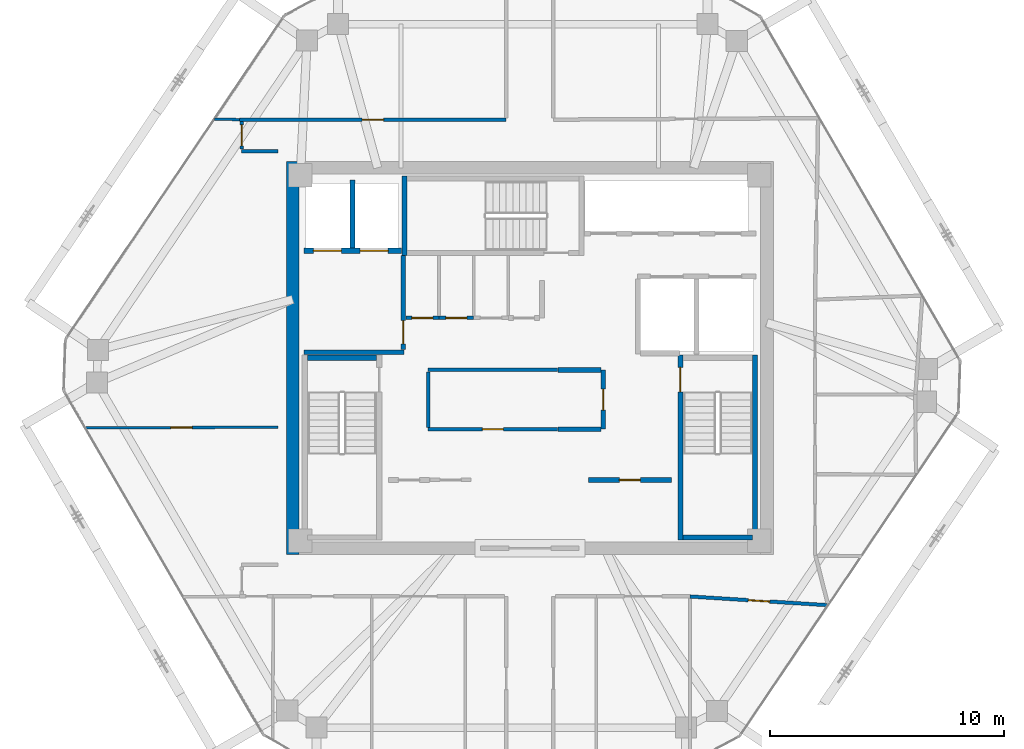
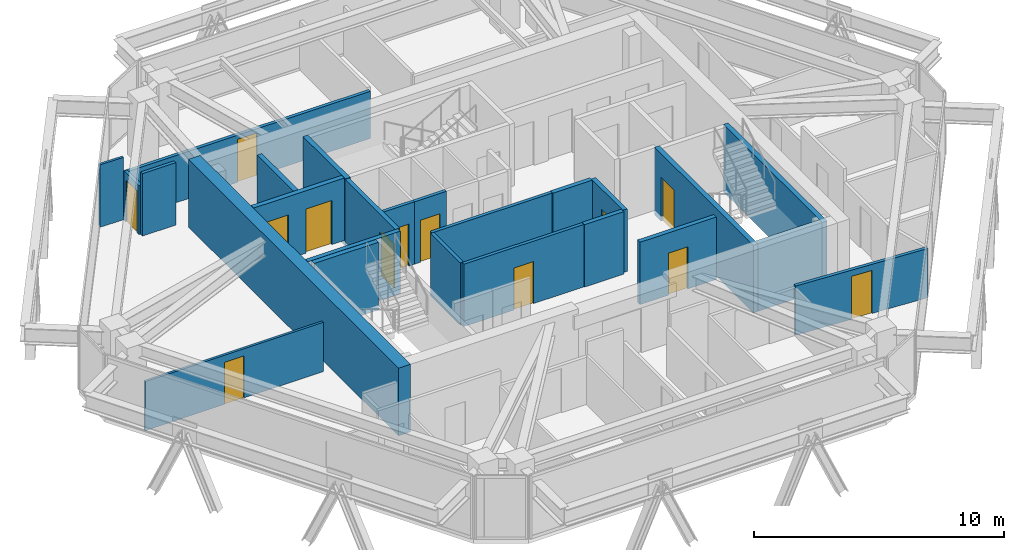
# One storey, part 10 of 13: 25 walls, 13 doors, 13 openings.
"""IFC4 building model written with IfcOpenShell, lengths in metres."""

from ifc_helpers import new_model, si_unit, direction, frame, frame_2d, origin, place, context, subcontext, project, spatial, rectangle, extrude, source, transform, mapped, material, layer, layer_set, type_object, type_shapes, element, fill, save


model = new_model("IFC4")

# Units and contexts
model_context = context("Model", 3, precision=1e-05, world=origin(), true_north=direction((0.0, 1.0)))
body_context = subcontext(model_context, "Body", "Model", "MODEL_VIEW")
ifc_project = project(units=[si_unit("LENGTHUNIT", "METRE"), si_unit("AREAUNIT", "SQUARE_METRE"), si_unit("VOLUMEUNIT", "CUBIC_METRE"), si_unit("PLANEANGLEUNIT", "RADIAN"), si_unit("MASSUNIT", "GRAM", prefix="KILO")], contexts=[model_context])

# Site, building, storey
site_placement = place(None, origin())
site = spatial("IfcSite", under=ifc_project, at=site_placement, CompositionType="ELEMENT")
building_placement = place(site_placement, origin())
building = spatial("IfcBuilding", under=site, at=building_placement, Name="Durnholm Broadcast Tower", CompositionType="ELEMENT")
storey_placement = place(building_placement, frame((0.0, 0.0, 248.0)))
storey = spatial("IfcBuildingStorey", under=building, at=storey_placement, Name="L69", CompositionType="ELEMENT", Elevation=248.0)

# Walls
ifc_material_1 = material(Name="Concrete C70/85", Category="concrete")
ifc_layer_1 = layer(ifc_material_1, 0.550048828125)
ifc_layer_set_1 = layer_set([ifc_layer_1], Name="Concrete C70/85")
wall_type_1 = type_object("IfcWallType", Name="WALL-CW-550", PredefinedType="SHEAR", material=ifc_layer_set_1)
wall_1_placement = place(storey_placement, frame((-10.125, -8.39990234375, 0.0), z_axis=(0.0, 0.0, 1.0), x_axis=(0.0, 1.0, 0.0)))
element("IfcWall", 1, at=wall_1_placement, inside=storey, type_object=wall_type_1, Name="L69 central core shear wall CW-WEST", PredefinedType="SHEAR", context=body_context, shape_type="SweptSolid", body=[
    extrude(rectangle(XDim=16.7998046875, YDim=0.550048828125, at=frame_2d((8.39990234375, 0.0))), origin(), (0.0, 0.0, 1.0), 3.300048828125),
])
ifc_material_2 = material(Name="Fire-Rated Gypsum Shaftwall", Category="concrete")
ifc_layer_2 = layer(ifc_material_2, 0.199951171875)
ifc_layer_set_2 = layer_set([ifc_layer_2], Name="Fire-Rated Gypsum Shaftwall")
wall_type_2 = type_object("IfcWallType", Name="WALL-LOB-200", PredefinedType="SOLIDWALL", material=ifc_layer_set_2)
wall_2_placement = place(storey_placement, frame((-9.64990234375, 0.25, 0.0), z_axis=(0.0, 0.0, 1.0), x_axis=(1.0, 0.0, 0.0)))
element("IfcWall", 2, at=wall_2_placement, inside=storey, type_object=wall_type_2, Name="L69 Fire Service Access Elevator lobby south wall", PredefinedType="SOLIDWALL", context=body_context, shape_type="SweptSolid", body=[
    extrude(rectangle(XDim=4.27001953125, YDim=0.199951171875, at=frame_2d((2.135009765625, 0.0))), origin(), (0.0, 0.0, 1.0), 3.044921875),
])

# Wall, opening, door
wall_3_placement = place(storey_placement, frame((-5.39990234375, 0.35400390625, 0.0), z_axis=(0.0, 0.0, 1.0), x_axis=(0.0, 1.0, 0.0)))
wall_3 = element("IfcWall", 3, at=wall_3_placement, inside=storey, type_object=wall_type_2, Name="L69 Fire Service Access Elevator lobby east fire wall", PredefinedType="SOLIDWALL", context=body_context, shape_type="SweptSolid", body=[
    extrude(rectangle(XDim=4.02587890625, YDim=0.199951171875, at=frame_2d((2.012939453125, 0.0))), origin(), (0.0, 0.0, 1.0), 3.044921875),
])
opening_1_placement = place(wall_3_placement, frame((0.24609375, 0.0, 0.0)))
opening_1 = element("IfcOpeningElement", 4, at=opening_1_placement, cuts=wall_3, Name="Opening DL-60R", PredefinedType="OPENING", context=body_context, shape_type="SweptSolid", body=[
    extrude(rectangle(XDim=1.0, YDim=2.14990234375, at=frame_2d((0.5, 1.074951171875))), frame((0.0, 0.10986328125, 0.0), z_axis=(0.0, -1.0, 0.0), x_axis=(1.0, 0.0, 0.0)), (0.0, 0.0, 1.0), 0.219970703125),
])
ifc_material_3 = material(Name="Fire-Rated Timber/Steel Door", Category="steel")
ifc_layer_3 = layer(ifc_material_3, 0.050048828125)
ifc_layer_set_3 = layer_set([ifc_layer_3], Name="Fire-Rated Timber/Steel Door")
door_type_1 = type_object("IfcDoorType", Name="DOOR-LOB-FD60-R", OperationType="NOTDEFINED", PredefinedType="DOOR", material=ifc_layer_set_3)
shared_shape_1 = source(origin(), body_context, "Body", "SweptSolid", [
    extrude(rectangle(XDim=1.0, YDim=2.14990234375, at=frame_2d((0.5, 1.074951171875))), frame((0.0, 0.02490234375, 0.0), z_axis=(0.0, -1.0, 0.0), x_axis=(1.0, 0.0, 0.0)), (0.0, 0.0, 1.0), 0.050048828125),
])
type_shapes(door_type_1, [shared_shape_1])
door_1_placement = place(opening_1_placement, origin())
door_1 = element("IfcDoor", 5, at=door_1_placement, inside=storey, type_object=door_type_1, Name="L69 Fire Service Access Elevator lobby smoke door", OperationType="SINGLE_SWING_RIGHT", OverallHeight=2.14990234375, OverallWidth=1.0, PredefinedType="DOOR", context=body_context, shape_type="MappedRepresentation", body=[
    mapped(shared_shape_1, transform((0.0, 0.0, 0.0), x_axis=(1.0, 0.0, 0.0), y_axis=(0.0, 1.0, 0.0), z_axis=(0.0, 0.0, 1.0), scale=1.0)),
])
fill(opening_1, door_1)

wall_4_placement = place(storey_placement, frame((2.510009765625, -5.2099609375, 0.0), z_axis=(0.0, 0.0, 1.0), x_axis=(1.0, 0.0, 0.0)))
wall_4 = element("IfcWall", 6, at=wall_4_placement, inside=storey, type_object=wall_type_2, Name="L69 Telemetry Control Closet corridor partition", PredefinedType="SOLIDWALL", context=body_context, shape_type="SweptSolid", body=[
    extrude(rectangle(XDim=3.530029296875, YDim=0.199951171875, at=frame_2d((1.76513671875, 0.0))), origin(), (0.0, 0.0, 1.0), 3.044921875),
])
opening_2_placement = place(wall_4_placement, frame((1.31494140625, 0.0, 0.0)))
opening_2 = element("IfcOpeningElement", 7, at=opening_2_placement, cuts=wall_4, Name="Opening DC-60R", PredefinedType="OPENING", context=body_context, shape_type="SweptSolid", body=[
    extrude(rectangle(XDim=0.89990234375, YDim=2.050048828125, at=frame_2d((0.449951171875, 1.02490234375))), frame((0.0, 0.10986328125, 0.0), z_axis=(0.0, -1.0, 0.0), x_axis=(1.0, 0.0, 0.0)), (0.0, 0.0, 1.0), 0.219970703125),
])
ifc_material_4 = material(Name="Fire-Rated Core Service Door", Category="steel")
ifc_layer_4 = layer(ifc_material_4, 0.050048828125)
ifc_layer_set_4 = layer_set([ifc_layer_4], Name="Fire-Rated Core Service Door")
door_type_2 = type_object("IfcDoorType", Name="DOOR-CORE-FD60-R", OperationType="NOTDEFINED", PredefinedType="DOOR", material=ifc_layer_set_4)
shared_shape_2 = source(origin(), body_context, "Body", "SweptSolid", [
    extrude(rectangle(XDim=0.89990234375, YDim=2.050048828125, at=frame_2d((0.449951171875, 1.02490234375))), frame((0.0, 0.02490234375, 0.0), z_axis=(0.0, -1.0, 0.0), x_axis=(1.0, 0.0, 0.0)), (0.0, 0.0, 1.0), 0.050048828125),
])
type_shapes(door_type_2, [shared_shape_2])
door_2_placement = place(opening_2_placement, origin())
door_2 = element("IfcDoor", 8, at=door_2_placement, inside=storey, type_object=door_type_2, Name="L69 Telemetry Control Closet entrance door", OperationType="SINGLE_SWING_RIGHT", OverallHeight=2.050048828125, OverallWidth=0.89990234375, PredefinedType="DOOR", context=body_context, shape_type="MappedRepresentation", body=[
    mapped(shared_shape_2, transform((0.0, 0.0, 0.0), x_axis=(1.0, 0.0, 0.0), y_axis=(0.0, 1.0, 0.0), z_axis=(0.0, 0.0, 1.0), scale=1.0)),
])
fill(opening_2, door_2)

wall_5_placement = place(storey_placement, frame((3.139892578125, -0.510009765625, 0.0), z_axis=(0.0, 0.0, 1.0), x_axis=(0.0, -1.0, 0.0)))
wall_5 = element("IfcWall", 9, at=wall_5_placement, inside=storey, type_object=wall_type_2, Name="L69 Core IT Telecom Room corridor partition", PredefinedType="SOLIDWALL", context=body_context, shape_type="SweptSolid", body=[
    extrude(rectangle(XDim=2.530029296875, YDim=0.199951171875, at=frame_2d((1.26513671875, 0.0))), origin(), (0.0, 0.0, 1.0), 3.044921875),
])
opening_3_placement = place(wall_5_placement, frame((0.81494140625, 0.0, 0.0)))
opening_3 = element("IfcOpeningElement", 10, at=opening_3_placement, cuts=wall_5, Name="Opening DC-60R", PredefinedType="OPENING", context=body_context, shape_type="SweptSolid", body=[
    extrude(rectangle(XDim=0.89990234375, YDim=2.050048828125, at=frame_2d((0.449951171875, 1.02490234375))), frame((0.0, 0.10986328125, 0.0), z_axis=(0.0, -1.0, 0.0), x_axis=(1.0, 0.0, 0.0)), (0.0, 0.0, 1.0), 0.219970703125),
])
door_3_placement = place(opening_3_placement, origin())
door_3 = element("IfcDoor", 11, at=door_3_placement, inside=storey, type_object=door_type_2, Name="L69 Core IT Telecom Room entrance door", OperationType="SINGLE_SWING_RIGHT", OverallHeight=2.050048828125, OverallWidth=0.89990234375, PredefinedType="DOOR", context=body_context, shape_type="MappedRepresentation", body=[
    mapped(shared_shape_2, transform((0.0, 0.0, 0.0), x_axis=(1.0, 0.0, 0.0), y_axis=(0.0, 1.0, 0.0), z_axis=(0.0, 0.0, 1.0), scale=1.0)),
])
fill(opening_3, door_3)

# Walls
for number, where, z_axis, x_axis, name in (
    (12, (3.035888671875, -3.0400390625, 0.0), (0.0, 0.0, 1.0), (-1.0, 0.0, 0.0), "L69 Core IT Telecom Room corridor partition"),
    (13, (1.2099609375, -0.510009765625, 0.0), (0.0, 0.0, 1.0), (1.0, 0.0, 0.0), "L69 Core IT Telecom Room corridor partition"),
):
    element("IfcWall", number, at=place(storey_placement, frame(where, z_axis=z_axis, x_axis=x_axis)), inside=storey, type_object=wall_type_2, Name=name, PredefinedType="SOLIDWALL", context=body_context, shape_type="SweptSolid", body=[
        extrude(rectangle(XDim=1.825927734375, YDim=0.199951171875, at=frame_2d((0.9130859375, 0.0))), origin(), (0.0, 0.0, 1.0), 3.044921875),
    ])
ifc_material_5 = material(Name="Operable Acoustic Panel Partition", Category="aluminium")
ifc_layer_5 = layer(ifc_material_5, 0.110107421875)
ifc_layer_set_5 = layer_set([ifc_layer_5], Name="Operable Acoustic Panel Partition")
wall_type_3 = type_object("IfcWallType", Name="WALL-MOV-110", PredefinedType="MOVABLE", material=ifc_layer_set_5)
wall_6_placement = place(storey_placement, frame((-12.389892578125, 10.181396484375, 0.0), z_axis=(0.0, 0.0, 1.0), x_axis=(-0.999812128272, 0.019383192748, 0.0)))
element("IfcWall", 14, at=wall_6_placement, inside=storey, type_object=wall_type_3, Name="L69 room dividing partition 13.24", PredefinedType="MOVABLE", context=body_context, shape_type="SweptSolid", body=[
    extrude(rectangle(XDim=1.083251953125, YDim=0.110107421875, at=frame_2d((0.54150390625, 0.0))), origin(), (0.0, 0.0, 1.0), 3.044921875),
])

# Wall, opening, door
wall_7_placement = place(storey_placement, frame((-18.99169921875, -2.97998046875, 0.0), z_axis=(0.0, 0.0, 1.0), x_axis=(0.999997042683, 0.0024320004, 0.0)))
wall_7 = element("IfcWall", 15, at=wall_7_placement, inside=storey, type_object=wall_type_3, Name="L69 room dividing partition 22.23", PredefinedType="MOVABLE", context=body_context, shape_type="SweptSolid", body=[
    extrude(rectangle(XDim=8.231689453125, YDim=0.110107421875, at=frame_2d((4.11572265625, 0.0))), origin(), (0.0, 0.0, 1.0), 2.398681640625),
])
opening_4_placement = place(wall_7_placement, frame((3.666015625, 0.0, 0.0)))
opening_4 = element("IfcOpeningElement", 16, at=opening_4_placement, cuts=wall_7, Name="Opening DW-90L", PredefinedType="OPENING", context=body_context, shape_type="SweptSolid", body=[
    extrude(rectangle(XDim=0.89990234375, YDim=2.050048828125, at=frame_2d((0.449951171875, 1.02490234375))), frame((0.0, 0.06494140625, 0.0), z_axis=(0.0, -1.0, 0.0), x_axis=(1.0, 0.0, 0.0)), (0.0, 0.0, 1.0), 0.130126953125),
])
ifc_material_6 = material(Name="Laminate Restroom Door", Category="steel")
ifc_layer_6 = layer(ifc_material_6, 0.050048828125)
ifc_layer_set_6 = layer_set([ifc_layer_6], Name="Laminate Restroom Door")
door_type_3 = type_object("IfcDoorType", Name="DOOR-WC-900L", OperationType="NOTDEFINED", PredefinedType="DOOR", material=ifc_layer_set_6)
shared_shape_3 = source(origin(), body_context, "Body", "SweptSolid", [
    extrude(rectangle(XDim=0.89990234375, YDim=2.050048828125, at=frame_2d((0.449951171875, 1.02490234375))), frame((0.0, 0.02490234375, 0.0), z_axis=(0.0, -1.0, 0.0), x_axis=(1.0, 0.0, 0.0)), (0.0, 0.0, 1.0), 0.050048828125),
])
type_shapes(door_type_3, [shared_shape_3])
door_4_placement = place(opening_4_placement, origin())
door_4 = element("IfcDoor", 17, at=door_4_placement, inside=storey, type_object=door_type_3, Name="L69 Executive Briefing Room connecting door", OperationType="SINGLE_SWING_LEFT", OverallHeight=2.050048828125, OverallWidth=0.89990234375, PredefinedType="DOOR", context=body_context, shape_type="MappedRepresentation", body=[
    mapped(shared_shape_3, transform((0.0, 0.0, 0.0), x_axis=(1.0, 0.0, 0.0), y_axis=(0.0, 1.0, 0.0), z_axis=(0.0, 0.0, 1.0), scale=1.0)),
])
fill(opening_4, door_4)

ifc_material_7 = material(Name="Acoustic Gypsum Stud Partition", Category="concrete")
ifc_layer_7 = layer(ifc_material_7, 0.14990234375)
ifc_layer_set_7 = layer_set([ifc_layer_7], Name="Acoustic Gypsum Stud Partition")
wall_type_4 = type_object("IfcWallType", Name="WALL-PART-150", PredefinedType="PARTITIONING", material=ifc_layer_set_7)
wall_8_placement = place(storey_placement, frame((1.18994140625, -3.0400390625, 0.0), z_axis=(0.0, 0.0, 1.0), x_axis=(-1.0, 0.0, 0.0)))
wall_8 = element("IfcWall", 18, at=wall_8_placement, inside=storey, type_object=wall_type_4, Name="L69 Broadcast Equipment Store corridor partition", PredefinedType="PARTITIONING", context=body_context, shape_type="SweptSolid", body=[
    extrude(rectangle(XDim=5.530029296875, YDim=0.14990234375, at=frame_2d((2.76513671875, 0.0))), origin(), (0.0, 0.0, 1.0), 3.044921875),
])
opening_5_placement = place(wall_8_placement, frame((2.31494140625, 0.0, 0.0)))
opening_5 = element("IfcOpeningElement", 19, at=opening_5_placement, cuts=wall_8, Name="Opening DC-60L", PredefinedType="OPENING", context=body_context, shape_type="SweptSolid", body=[
    extrude(rectangle(XDim=0.89990234375, YDim=2.050048828125, at=frame_2d((0.449951171875, 1.02490234375))), frame((0.0, 0.0849609375, 0.0), z_axis=(0.0, -1.0, 0.0), x_axis=(1.0, 0.0, 0.0)), (0.0, 0.0, 1.0), 0.169921875),
])
ifc_layer_8 = layer(ifc_material_4, 0.050048828125)
ifc_layer_set_8 = layer_set([ifc_layer_8], Name="Fire-Rated Core Service Door")
door_type_4 = type_object("IfcDoorType", Name="DOOR-CORE-FD60-L", OperationType="NOTDEFINED", PredefinedType="DOOR", material=ifc_layer_set_8)
shared_shape_4 = source(origin(), body_context, "Body", "SweptSolid", [
    extrude(rectangle(XDim=0.89990234375, YDim=2.050048828125, at=frame_2d((0.449951171875, 1.02490234375))), frame((0.0, 0.02490234375, 0.0), z_axis=(0.0, -1.0, 0.0), x_axis=(1.0, 0.0, 0.0)), (0.0, 0.0, 1.0), 0.050048828125),
])
type_shapes(door_type_4, [shared_shape_4])
door_5_placement = place(opening_5_placement, origin())
door_5 = element("IfcDoor", 20, at=door_5_placement, inside=storey, type_object=door_type_4, Name="L69 Broadcast Equipment Store entrance door", OperationType="SINGLE_SWING_LEFT", OverallHeight=2.050048828125, OverallWidth=0.89990234375, PredefinedType="DOOR", context=body_context, shape_type="MappedRepresentation", body=[
    mapped(shared_shape_4, transform((0.0, 0.0, 0.0), x_axis=(1.0, 0.0, 0.0), y_axis=(0.0, 1.0, 0.0), z_axis=(0.0, 0.0, 1.0), scale=1.0)),
])
fill(opening_5, door_5)

# Walls
wall_9_placement = place(storey_placement, frame((-4.340087890625, -0.510009765625, 0.0), z_axis=(0.0, 0.0, 1.0), x_axis=(1.0, 0.0, 0.0)))
element("IfcWall", 21, at=wall_9_placement, inside=storey, type_object=wall_type_4, Name="L69 Broadcast Equipment Store corridor partition", PredefinedType="PARTITIONING", context=body_context, shape_type="SweptSolid", body=[
    extrude(rectangle(XDim=5.530029296875, YDim=0.14990234375, at=frame_2d((2.76513671875, 0.0))), origin(), (0.0, 0.0, 1.0), 3.044921875),
])
wall_10_placement = place(storey_placement, frame((-4.340087890625, -2.9609375, 0.0), z_axis=(0.0, 0.0, 1.0), x_axis=(0.0, 1.0, 0.0)))
element("IfcWall", 22, at=wall_10_placement, inside=storey, type_object=wall_type_4, Name="L69 Broadcast Equipment Store corridor partition", PredefinedType="PARTITIONING", context=body_context, shape_type="SweptSolid", body=[
    extrude(rectangle(XDim=2.371826171875, YDim=0.14990234375, at=frame_2d((1.18603515625, 0.0))), origin(), (0.0, 0.0, 1.0), 3.044921875),
])

# Wall, opening, door
wall_11_placement = place(storey_placement, frame((-3.8798828125, 1.7099609375, 0.0), z_axis=(0.0, 0.0, 1.0), x_axis=(-1.0, 0.0, 0.0)))
wall_11 = element("IfcWall", 23, at=wall_11_placement, inside=storey, type_object=wall_type_4, Name="L69 Core First Aid Store corridor partition", PredefinedType="PARTITIONING", context=body_context, shape_type="SweptSolid", body=[
    extrude(rectangle(XDim=1.416015625, YDim=0.14990234375, at=frame_2d((0.7080078125, 0.0))), origin(), (0.0, 0.0, 1.0), 3.044921875),
])
opening_6_placement = place(wall_11_placement, frame((0.258056640625, 0.0, 0.0)))
opening_6 = element("IfcOpeningElement", 24, at=opening_6_placement, cuts=wall_11, Name="Opening DC-60L", PredefinedType="OPENING", context=body_context, shape_type="SweptSolid", body=[
    extrude(rectangle(XDim=0.89990234375, YDim=2.050048828125, at=frame_2d((0.449951171875, 1.02490234375))), frame((0.0, 0.0849609375, 0.0), z_axis=(0.0, -1.0, 0.0), x_axis=(1.0, 0.0, 0.0)), (0.0, 0.0, 1.0), 0.169921875),
])
door_6_placement = place(opening_6_placement, origin())
door_6 = element("IfcDoor", 25, at=door_6_placement, inside=storey, type_object=door_type_4, Name="L69 Core First Aid Store entrance door", OperationType="SINGLE_SWING_LEFT", OverallHeight=2.050048828125, OverallWidth=0.89990234375, PredefinedType="DOOR", context=body_context, shape_type="MappedRepresentation", body=[
    mapped(shared_shape_4, transform((0.0, 0.0, 0.0), x_axis=(1.0, 0.0, 0.0), y_axis=(0.0, 1.0, 0.0), z_axis=(0.0, 0.0, 1.0), scale=1.0)),
])
fill(opening_6, door_6)

wall_12_placement = place(storey_placement, frame((-2.39990234375, 1.7099609375, 0.0), z_axis=(0.0, 0.0, 1.0), x_axis=(-1.0, 0.0, 0.0)))
wall_12 = element("IfcWall", 26, at=wall_12_placement, inside=storey, type_object=wall_type_4, Name="L69 Core Linen Supply Closet corridor partition", PredefinedType="PARTITIONING", context=body_context, shape_type="SweptSolid", body=[
    extrude(rectangle(XDim=1.47998046875, YDim=0.14990234375, at=frame_2d((0.739990234375, 0.0))), origin(), (0.0, 0.0, 1.0), 3.044921875),
])
opening_7_placement = place(wall_12_placement, frame((0.2900390625, 0.0, 0.0)))
opening_7 = element("IfcOpeningElement", 27, at=opening_7_placement, cuts=wall_12, Name="Opening DC-60R", PredefinedType="OPENING", context=body_context, shape_type="SweptSolid", body=[
    extrude(rectangle(XDim=0.89990234375, YDim=2.050048828125, at=frame_2d((0.449951171875, 1.02490234375))), frame((0.0, 0.0849609375, 0.0), z_axis=(0.0, -1.0, 0.0), x_axis=(1.0, 0.0, 0.0)), (0.0, 0.0, 1.0), 0.169921875),
])
door_7_placement = place(opening_7_placement, origin())
door_7 = element("IfcDoor", 28, at=door_7_placement, inside=storey, type_object=door_type_2, Name="L69 Core Linen Supply Closet entrance door", OperationType="SINGLE_SWING_RIGHT", OverallHeight=2.050048828125, OverallWidth=0.89990234375, PredefinedType="DOOR", context=body_context, shape_type="MappedRepresentation", body=[
    mapped(shared_shape_2, transform((0.0, 0.0, 0.0), x_axis=(1.0, 0.0, 0.0), y_axis=(0.0, 1.0, 0.0), z_axis=(0.0, 0.0, 1.0), scale=1.0)),
])
fill(opening_7, door_7)

wall_13_placement = place(storey_placement, frame((-1.010009765625, 10.179931640625, 0.0), z_axis=(0.0, 0.0, 1.0), x_axis=(-1.0, 0.0, 0.0)))
wall_13 = element("IfcWall", 29, at=wall_13_placement, inside=storey, type_object=wall_type_4, Name="L69 Open Plan Broadcast Workspace 2 corridor partition", PredefinedType="PARTITIONING", context=body_context, shape_type="SweptSolid", body=[
    extrude(rectangle(XDim=11.3798828125, YDim=0.14990234375, at=frame_2d((5.68994140625, 0.0))), origin(), (0.0, 0.0, 1.0), 2.30126953125),
])
opening_8_placement = place(wall_13_placement, frame((5.22998046875, 0.0, 0.0)))
opening_8 = element("IfcOpeningElement", 30, at=opening_8_placement, cuts=wall_13, Name="Opening DR-92R", PredefinedType="OPENING", context=body_context, shape_type="SweptSolid", body=[
    extrude(rectangle(XDim=0.919921875, YDim=2.10009765625, at=frame_2d((0.4599609375, 1.050048828125))), frame((0.0, 0.0849609375, 0.0), z_axis=(0.0, -1.0, 0.0), x_axis=(1.0, 0.0, 0.0)), (0.0, 0.0, 1.0), 0.169921875),
])
ifc_material_8 = material(Name="Oak Veneer Office Door", Category="wood")
ifc_layer_9 = layer(ifc_material_8, 0.050048828125)
ifc_layer_set_9 = layer_set([ifc_layer_9], Name="Oak Veneer Office Door")
door_type_5 = type_object("IfcDoorType", Name="DOOR-RM-920R", OperationType="NOTDEFINED", PredefinedType="DOOR", material=ifc_layer_set_9)
shared_shape_5 = source(origin(), body_context, "Body", "SweptSolid", [
    extrude(rectangle(XDim=0.919921875, YDim=2.10009765625, at=frame_2d((0.4599609375, 1.050048828125))), frame((0.0, 0.02490234375, 0.0), z_axis=(0.0, -1.0, 0.0), x_axis=(1.0, 0.0, 0.0)), (0.0, 0.0, 1.0), 0.050048828125),
])
type_shapes(door_type_5, [shared_shape_5])
door_8_placement = place(opening_8_placement, origin())
door_8 = element("IfcDoor", 31, at=door_8_placement, inside=storey, type_object=door_type_5, Name="L69 Open Plan Broadcast Workspace 2 entrance door", OperationType="SINGLE_SWING_RIGHT", OverallHeight=2.10009765625, OverallWidth=0.919921875, PredefinedType="DOOR", context=body_context, shape_type="MappedRepresentation", body=[
    mapped(shared_shape_5, transform((0.0, 0.0, 0.0), x_axis=(1.0, 0.0, 0.0), y_axis=(0.0, 1.0, 0.0), z_axis=(0.0, 0.0, 1.0), scale=1.0)),
])
fill(opening_8, door_8)

wall_14_placement = place(storey_placement, frame((6.840087890625, -10.18505859375, 0.0), z_axis=(0.0, 0.0, 1.0), x_axis=(0.99800894273, -0.063072579072, 0.0)))
wall_14 = element("IfcWall", 32, at=wall_14_placement, inside=storey, type_object=wall_type_4, Name="L69 Editorial Briefing Meeting Room corridor partition", PredefinedType="PARTITIONING", context=body_context, shape_type="SweptSolid", body=[
    extrude(rectangle(XDim=5.91064453125, YDim=0.14990234375, at=frame_2d((2.955322265625, 0.0))), origin(), (0.0, 0.0, 1.0), 2.398681640625),
])
opening_9_placement = place(wall_14_placement, frame((2.495361328125, 0.0, 0.0)))
opening_9 = element("IfcOpeningElement", 33, at=opening_9_placement, cuts=wall_14, Name="Opening DR-92R", PredefinedType="OPENING", context=body_context, shape_type="SweptSolid", body=[
    extrude(rectangle(XDim=0.919921875, YDim=2.10009765625, at=frame_2d((0.4599609375, 1.050048828125))), frame((0.0, 0.0849609375, 0.0), z_axis=(0.0, -1.0, 0.0), x_axis=(1.0, 0.0, 0.0)), (0.0, 0.0, 1.0), 0.169921875),
])
door_9_placement = place(opening_9_placement, origin())
door_9 = element("IfcDoor", 34, at=door_9_placement, inside=storey, type_object=door_type_5, Name="L69 Editorial Briefing Meeting Room entrance door", OperationType="SINGLE_SWING_RIGHT", OverallHeight=2.10009765625, OverallWidth=0.919921875, PredefinedType="DOOR", context=body_context, shape_type="MappedRepresentation", body=[
    mapped(shared_shape_5, transform((0.0, 0.0, 0.0), x_axis=(1.0, 0.0, 0.0), y_axis=(0.0, 1.0, 0.0), z_axis=(0.0, 0.0, 1.0), scale=1.0)),
])
fill(opening_9, door_9)

# Wall
wall_15_placement = place(storey_placement, frame((-12.31005859375, 8.840087890625, 0.0), z_axis=(0.0, 0.0, 1.0), x_axis=(1.0, 0.0, 0.0)))
element("IfcWall", 35, at=wall_15_placement, inside=storey, type_object=wall_type_4, Name="L69 Press Colloquium Hall corridor partition", PredefinedType="PARTITIONING", context=body_context, shape_type="SweptSolid", body=[
    extrude(rectangle(XDim=1.550048828125, YDim=0.14990234375, at=frame_2d((0.77490234375, 0.0))), origin(), (0.0, 0.0, 1.0), 3.044921875),
])

# Wall, opening, door
wall_16_placement = place(storey_placement, frame((-12.31005859375, 10.10107421875, 0.0), z_axis=(0.0, 0.0, 1.0), x_axis=(0.0, -1.0, 0.0)))
wall_16 = element("IfcWall", 36, at=wall_16_placement, inside=storey, type_object=wall_type_4, Name="L69 Press Colloquium Hall corridor partition", PredefinedType="PARTITIONING", context=body_context, shape_type="SweptSolid", body=[
    extrude(rectangle(XDim=1.18212890625, YDim=0.14990234375, at=frame_2d((0.591064453125, 0.0))), origin(), (0.0, 0.0, 1.0), 2.398681640625),
])
opening_10_placement = place(wall_16_placement, frame((0.14111328125, 0.0, 0.0)))
opening_10 = element("IfcOpeningElement", 37, at=opening_10_placement, cuts=wall_16, Name="Opening DW-90R", PredefinedType="OPENING", context=body_context, shape_type="SweptSolid", body=[
    extrude(rectangle(XDim=0.89990234375, YDim=2.050048828125, at=frame_2d((0.449951171875, 1.02490234375))), frame((0.0, 0.0849609375, 0.0), z_axis=(0.0, -1.0, 0.0), x_axis=(1.0, 0.0, 0.0)), (0.0, 0.0, 1.0), 0.169921875),
])
ifc_layer_10 = layer(ifc_material_6, 0.050048828125)
ifc_layer_set_10 = layer_set([ifc_layer_10], Name="Laminate Restroom Door")
door_type_6 = type_object("IfcDoorType", Name="DOOR-WC-900R", OperationType="NOTDEFINED", PredefinedType="DOOR", material=ifc_layer_set_10)
shared_shape_6 = source(origin(), body_context, "Body", "SweptSolid", [
    extrude(rectangle(XDim=0.89990234375, YDim=2.050048828125, at=frame_2d((0.449951171875, 1.02490234375))), frame((0.0, 0.02490234375, 0.0), z_axis=(0.0, -1.0, 0.0), x_axis=(1.0, 0.0, 0.0)), (0.0, 0.0, 1.0), 0.050048828125),
])
type_shapes(door_type_6, [shared_shape_6])
door_10_placement = place(opening_10_placement, origin())
door_10 = element("IfcDoor", 38, at=door_10_placement, inside=storey, type_object=door_type_6, Name="L69 Press Colloquium Hall entrance door", OperationType="SINGLE_SWING_RIGHT", OverallHeight=2.050048828125, OverallWidth=0.89990234375, PredefinedType="DOOR", context=body_context, shape_type="MappedRepresentation", body=[
    mapped(shared_shape_6, transform((0.0, 0.0, 0.0), x_axis=(1.0, 0.0, 0.0), y_axis=(0.0, 1.0, 0.0), z_axis=(0.0, 0.0, 1.0), scale=1.0)),
])
fill(opening_10, door_10)

# Wall, openings, doors
ifc_material_9 = material(Name="Concrete Blockwork C30/37", Category="masonry")
ifc_layer_11 = layer(ifc_material_9, 0.219970703125)
ifc_layer_set_11 = layer_set([ifc_layer_11], Name="Concrete Blockwork C30/37")
wall_type_5 = type_object("IfcWallType", Name="WALL-SHAFT-220", PredefinedType="SOLIDWALL", material=ifc_layer_set_11)
wall_17_placement = place(storey_placement, frame((-9.64990234375, 4.580078125, 0.0), z_axis=(0.0, 0.0, 1.0), x_axis=(1.0, 0.0, 0.0)))
wall_17 = element("IfcWall", 39, at=wall_17_placement, inside=storey, type_object=wall_type_5, Name="L69 FSAE hoistway front fire wall", PredefinedType="SOLIDWALL", context=body_context, shape_type="SweptSolid", body=[
    extrude(rectangle(XDim=4.1748046875, YDim=0.219970703125, at=frame_2d((2.08740234375, 0.0))), origin(), (0.0, 0.0, 1.0), 3.044921875),
])
opening_11_placement = place(wall_17_placement, frame((0.39990234375, 0.0, 0.0)))
opening_11 = element("IfcOpeningElement", 40, at=opening_11_placement, cuts=wall_17, Name="Opening LD-FSAE-2", PredefinedType="OPENING", context=body_context, shape_type="SweptSolid", body=[
    extrude(rectangle(XDim=1.199951171875, YDim=2.14990234375, at=frame_2d((0.60009765625, 1.074951171875))), frame((0.0, 0.1201171875, 0.0), z_axis=(0.0, -1.0, 0.0), x_axis=(1.0, 0.0, 0.0)), (0.0, 0.0, 1.0), 0.239990234375),
])
opening_12_placement = place(wall_17_placement, frame((2.39990234375, 0.0, 0.0)))
opening_12 = element("IfcOpeningElement", 41, at=opening_12_placement, cuts=wall_17, Name="Opening LD-FSAE-1", PredefinedType="OPENING", context=body_context, shape_type="SweptSolid", body=[
    extrude(rectangle(XDim=1.199951171875, YDim=2.14990234375, at=frame_2d((0.60009765625, 1.074951171875))), frame((0.0, 0.1201171875, 0.0), z_axis=(0.0, -1.0, 0.0), x_axis=(1.0, 0.0, 0.0)), (0.0, 0.0, 1.0), 0.239990234375),
])
ifc_material_10 = material(Name="Fire Service Access Sliding Landing Door", Category="steel")
ifc_layer_12 = layer(ifc_material_10, 0.050048828125)
ifc_layer_set_12 = layer_set([ifc_layer_12], Name="Fire Service Access Sliding Landing Door")
door_type_7 = type_object("IfcDoorType", Name="DOOR-LIFT-FSAE", OperationType="DOUBLE_DOOR_SLIDING", PredefinedType="DOOR", material=ifc_layer_set_12)
shared_shape_7 = source(origin(), body_context, "Body", "SweptSolid", [
    extrude(rectangle(XDim=1.199951171875, YDim=2.14990234375, at=frame_2d((0.60009765625, 1.074951171875))), frame((0.0, 0.02490234375, 0.0), z_axis=(0.0, -1.0, 0.0), x_axis=(1.0, 0.0, 0.0)), (0.0, 0.0, 1.0), 0.050048828125),
])
type_shapes(door_type_7, [shared_shape_7])
door_11_placement = place(opening_11_placement, origin())
door_11 = element("IfcDoor", 42, at=door_11_placement, inside=storey, type_object=door_type_7, Name="L69 Fire Service Access Elevator FSAE-2 sliding landing door", OperationType="DOUBLE_DOOR_SLIDING", OverallHeight=2.14990234375, OverallWidth=1.199951171875, PredefinedType="DOOR", context=body_context, shape_type="MappedRepresentation", body=[
    mapped(shared_shape_7, transform((0.0, 0.0, 0.0), x_axis=(1.0, 0.0, 0.0), y_axis=(0.0, 1.0, 0.0), z_axis=(0.0, 0.0, 1.0), scale=1.0)),
])
fill(opening_11, door_11)
door_12_placement = place(opening_12_placement, origin())
door_12 = element("IfcDoor", 43, at=door_12_placement, inside=storey, type_object=door_type_7, Name="L69 Fire Service Access Elevator FSAE-1 sliding landing door", OperationType="DOUBLE_DOOR_SLIDING", OverallHeight=2.14990234375, OverallWidth=1.199951171875, PredefinedType="DOOR", context=body_context, shape_type="MappedRepresentation", body=[
    mapped(shared_shape_7, transform((0.0, 0.0, 0.0), x_axis=(1.0, 0.0, 0.0), y_axis=(0.0, 1.0, 0.0), z_axis=(0.0, 0.0, 1.0), scale=1.0)),
])
fill(opening_12, door_12)

# Walls
wall_18_placement = place(storey_placement, frame((-7.580078125, 4.694091796875, 0.0), z_axis=(0.0, 0.0, 1.0), x_axis=(0.0, 1.0, 0.0)))
element("IfcWall", 44, at=wall_18_placement, inside=storey, type_object=wall_type_5, Name="L69 FSAE shaft divider wall", PredefinedType="SOLIDWALL", context=body_context, shape_type="SweptSolid", body=[
    extrude(rectangle(XDim=2.906005859375, YDim=0.219970703125, at=frame_2d((1.453125, 0.0))), origin(), (0.0, 0.0, 1.0), 3.044921875),
])
ifc_material_11 = material(Name="Concrete C50/60", Category="concrete")
ifc_layer_13 = layer(ifc_material_11, 0.219970703125)
ifc_layer_set_13 = layer_set([ifc_layer_13], Name="Concrete C50/60")
wall_type_6 = type_object("IfcWallType", Name="WALL-SW-220", PredefinedType="SHEAR", material=ifc_layer_set_13)
wall_19_placement = place(storey_placement, frame((-6.5400390625, 0.010009765625, -0.239990234375), z_axis=(0.0, 0.0, 1.0), x_axis=(-1.0, 0.0, 0.0)))
element("IfcWall", 45, at=wall_19_placement, inside=storey, type_object=wall_type_6, Name="L69 stair ST-1 structural shaft wall N", PredefinedType="SHEAR", context=body_context, shape_type="SweptSolid", body=[
    extrude(rectangle(XDim=2.9599609375, YDim=0.219970703125, at=frame_2d((1.47998046875, 0.0))), origin(), (0.0, 0.0, 1.0), 3.300048828125),
])
wall_20_placement = place(storey_placement, frame((9.610107421875, -7.77001953125, -0.239990234375), z_axis=(0.0, 0.0, 1.0), x_axis=(0.0, 1.0, 0.0)))
element("IfcWall", 46, at=wall_20_placement, inside=storey, type_object=wall_type_6, Name="L69 stair ST-2 structural shaft wall E", PredefinedType="SHEAR", context=body_context, shape_type="SweptSolid", body=[
    extrude(rectangle(XDim=7.89013671875, YDim=0.219970703125, at=frame_2d((3.945068359375, 0.0))), origin(), (0.0, 0.0, 1.0), 3.300048828125),
])

# Wall, opening, door
wall_21_placement = place(storey_placement, frame((6.429931640625, 0.1201171875, -0.239990234375), z_axis=(0.0, 0.0, 1.0), x_axis=(0.0, -1.0, 0.0)))
wall_21 = element("IfcWall", 47, at=wall_21_placement, inside=storey, type_object=wall_type_6, Name="L69 stair ST-2 structural shaft wall W", PredefinedType="SHEAR", context=body_context, shape_type="SweptSolid", body=[
    extrude(rectangle(XDim=7.89013671875, YDim=0.219970703125, at=frame_2d((3.945068359375, 0.0))), origin(), (0.0, 0.0, 1.0), 3.300048828125),
])
opening_13_placement = place(wall_21_placement, frame((0.52001953125, 0.0, 0.0)))
opening_13 = element("IfcOpeningElement", 48, at=opening_13_placement, cuts=wall_21, Name="Opening DS-90R", PredefinedType="OPENING", context=body_context, shape_type="SweptSolid", body=[
    extrude(rectangle(XDim=1.050048828125, YDim=2.14990234375, at=frame_2d((0.52490234375, 1.074951171875))), frame((0.0, 0.1201171875, 0.0), z_axis=(0.0, -1.0, 0.0), x_axis=(1.0, 0.0, 0.0)), (0.0, 0.0, 1.0), 0.239990234375),
])
ifc_material_12 = material(Name="Fire-Rated Steel Door", Category="steel")
ifc_layer_14 = layer(ifc_material_12, 0.050048828125)
ifc_layer_set_14 = layer_set([ifc_layer_14], Name="Fire-Rated Steel Door")
door_type_8 = type_object("IfcDoorType", Name="DOOR-ST-FD90-R", OperationType="NOTDEFINED", PredefinedType="DOOR", material=ifc_layer_set_14)
shared_shape_8 = source(origin(), body_context, "Body", "SweptSolid", [
    extrude(rectangle(XDim=1.050048828125, YDim=2.14990234375, at=frame_2d((0.52490234375, 1.074951171875))), frame((0.0, 0.02490234375, 0.0), z_axis=(0.0, -1.0, 0.0), x_axis=(1.0, 0.0, 0.0)), (0.0, 0.0, 1.0), 0.050048828125),
])
type_shapes(door_type_8, [shared_shape_8])
door_13_placement = place(opening_13_placement, origin())
door_13 = element("IfcDoor", 49, at=door_13_placement, inside=storey, type_object=door_type_8, Name="L69 exit stair ST-2 fire door", OperationType="SINGLE_SWING_RIGHT", OverallHeight=2.14990234375, OverallWidth=1.050048828125, PredefinedType="DOOR", context=body_context, shape_type="MappedRepresentation", body=[
    mapped(shared_shape_8, transform((0.0, 0.0, 0.0), x_axis=(1.0, 0.0, 0.0), y_axis=(0.0, 1.0, 0.0), z_axis=(0.0, 0.0, 1.0), scale=1.0)),
])
fill(opening_13, door_13)

# Walls
wall_22_placement = place(storey_placement, frame((6.5400390625, -7.659912109375, -0.239990234375), z_axis=(0.0, 0.0, 1.0), x_axis=(1.0, 0.0, 0.0)))
element("IfcWall", 50, at=wall_22_placement, inside=storey, type_object=wall_type_6, Name="L69 stair ST-2 structural shaft wall S", PredefinedType="SHEAR", context=body_context, shape_type="SweptSolid", body=[
    extrude(rectangle(XDim=2.9599609375, YDim=0.219970703125, at=frame_2d((1.47998046875, 0.0))), origin(), (0.0, 0.0, 1.0), 3.300048828125),
])
wall_23_placement = place(storey_placement, frame((-5.360107421875, 7.780029296875, -0.239990234375), z_axis=(0.0, 0.0, 1.0), x_axis=(0.0, -1.0, 0.0)))
element("IfcWall", 51, at=wall_23_placement, inside=storey, type_object=wall_type_6, Name="L69 stair ST-3 structural shaft wall W", PredefinedType="SHEAR", context=body_context, shape_type="SweptSolid", body=[
    extrude(rectangle(XDim=3.400146484375, YDim=0.219970703125, at=frame_2d((1.7001953125, 0.0))), origin(), (0.0, 0.0, 1.0), 3.300048828125),
])

save(model, "model.ifc")
